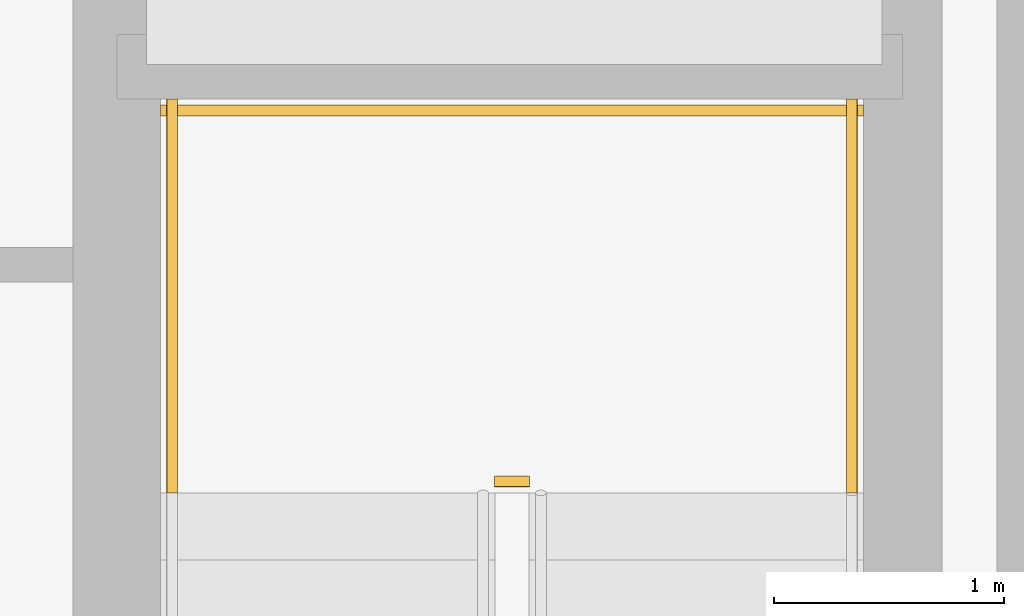
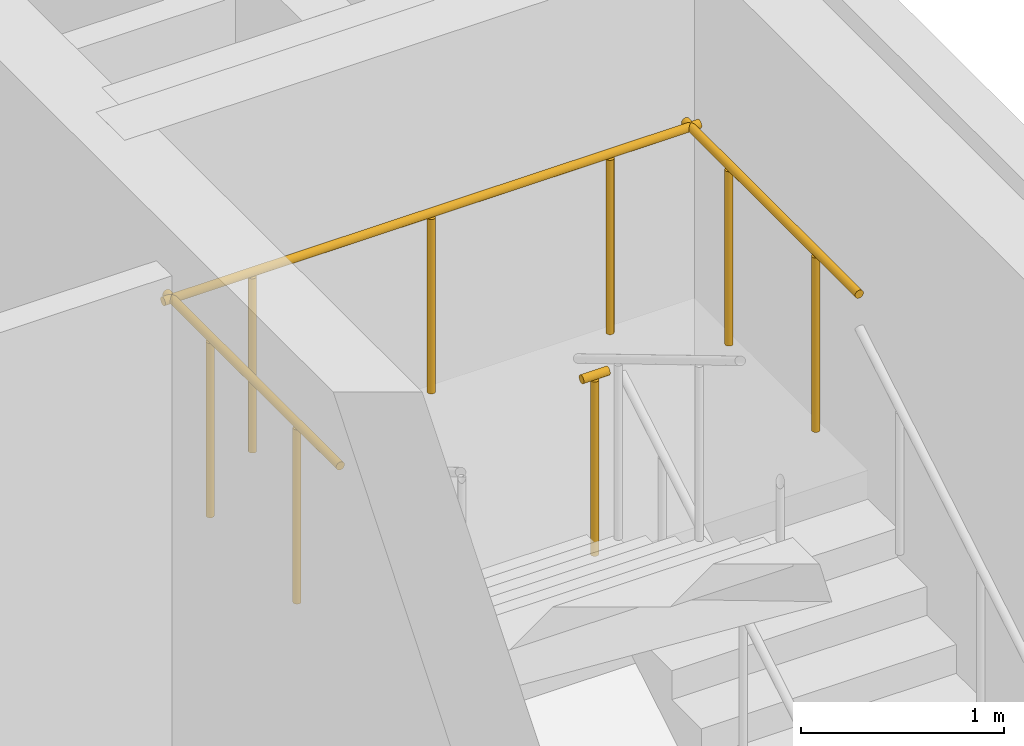
# One storey, part 112 of 114: 4 railings.
"""IFC4 building model written with IfcOpenShell, lengths in metres."""

from ifc_helpers import new_model, si_unit, direction, frame, origin, origin_2d, place, context, subcontext, project, spatial, circle, extrude, material, type_object, element, save


model = new_model("IFC4")

# Units and contexts
model_context = context("Model", 3, precision=1e-05, world=origin(), true_north=direction((0.0, 1.0)))
body_context = subcontext(model_context, "Body", "Model", "MODEL_VIEW")
ifc_project = project(units=[si_unit("LENGTHUNIT", "METRE"), si_unit("AREAUNIT", "SQUARE_METRE"), si_unit("VOLUMEUNIT", "CUBIC_METRE"), si_unit("PLANEANGLEUNIT", "RADIAN"), si_unit("MASSUNIT", "GRAM", prefix="KILO")], contexts=[model_context])

# Site, building, storey
site_placement = place(None, origin())
site = spatial("IfcSite", under=ifc_project, at=site_placement, CompositionType="ELEMENT")
building_placement = place(site_placement, origin())
building = spatial("IfcBuilding", under=site, at=building_placement, Name="Keldmere Railside Commons", CompositionType="ELEMENT")
storey_placement = place(building_placement, origin())
storey = spatial("IfcBuildingStorey", under=building, at=storey_placement, Name="L00", CompositionType="ELEMENT", Elevation=0.0)

# Railings
ifc_material = material(Name="Steel F-24 (S235)", Category="steel")
railing_type = type_object("IfcRailingType", Name="Stair Well Steel Guardrail 1100", PredefinedType="BALUSTRADE", material=ifc_material)
railing_1_placement = place(storey_placement, frame((181.85009765625, 72.43994140625, 2.080078125)))
element("IfcRailing", 1, at=railing_1_placement, inside=storey, type_object=railing_type, Name="L00 ST-A1 stair guard 2", PredefinedType="BALUSTRADE", context=body_context, shape_type="SweptSolid", body=[
    extrude(circle(Radius=0.02392578125, at=origin_2d()), frame((0.0, 0.0, 1.076171875), z_axis=(-1.0, 0.0, 0.0), x_axis=(0.0, -1.0, 0.0)), (0.0, 0.0, 1.0), 0.150146484375),
    extrude(circle(Radius=0.02099609375, at=origin_2d()), frame((-0.0751953125, 0.0, 0.0)), (0.0, 0.0, 1.0), 1.048095703125),
])
for number, where, name in (
    (2, (183.25, 72.389892578125, 2.080078125), "L00 ST-A1 stair guard 3"),
    (3, (180.300048828125, 72.389892578125, 2.080078125), "L00 ST-A1 stair guard 4"),
):
    element("IfcRailing", number, at=place(storey_placement, frame(where)), inside=storey, type_object=railing_type, Name=name, PredefinedType="BALUSTRADE", context=body_context, shape_type="SweptSolid", body=[
        extrude(circle(Radius=0.02392578125, at=origin_2d()), frame((0.0, 0.0, 1.076171875), z_axis=(0.0, 1.0, 0.0), x_axis=(-1.0, 0.0, 0.0)), (0.0, 0.0, 1.0), 1.710205078125),
        extrude(circle(Radius=0.02099609375, at=origin_2d()), frame((0.0, 0.427490234375, 0.0)), (0.0, 0.0, 1.0), 1.048095703125),
        extrude(circle(Radius=0.02099609375, at=origin_2d()), frame((0.0, 1.28271484375, 0.0)), (0.0, 0.0, 1.0), 1.048095703125),
    ])
railing_2_placement = place(storey_placement, frame((183.300048828125, 74.050048828125, 2.080078125)))
element("IfcRailing", 4, at=railing_2_placement, inside=storey, type_object=railing_type, Name="L00 ST-A1 stair guard 5", PredefinedType="BALUSTRADE", context=body_context, shape_type="SweptSolid", body=[
    extrude(circle(Radius=0.02392578125, at=origin_2d()), frame((0.0, 0.0, 1.076171875), z_axis=(-1.0, 0.0, 0.0), x_axis=(0.0, -1.0, 0.0)), (0.0, 0.0, 1.0), 3.050048828125),
    extrude(circle(Radius=0.02099609375, at=origin_2d()), frame((-0.50830078125, 0.0, 0.0)), (0.0, 0.0, 1.0), 1.048095703125),
    extrude(circle(Radius=0.02099609375, at=origin_2d()), frame((-1.52490234375, 0.0, 0.0)), (0.0, 0.0, 1.0), 1.048095703125),
    extrude(circle(Radius=0.02099609375, at=origin_2d()), frame((-2.541748046875, 0.0, 0.0)), (0.0, 0.0, 1.0), 1.048095703125),
])

save(model, "model.ifc")
